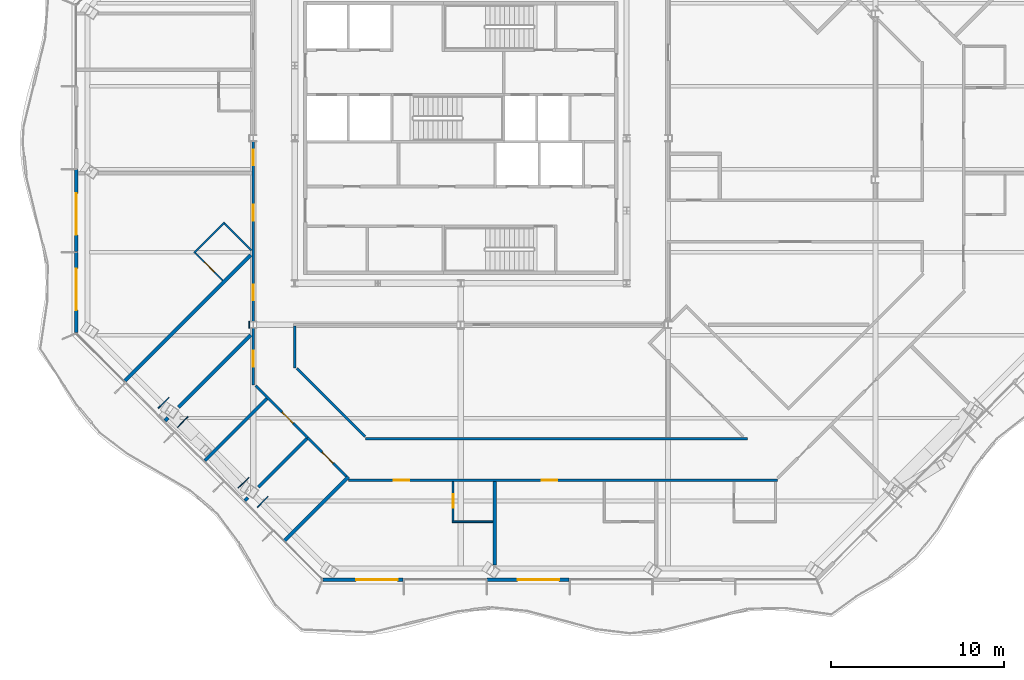
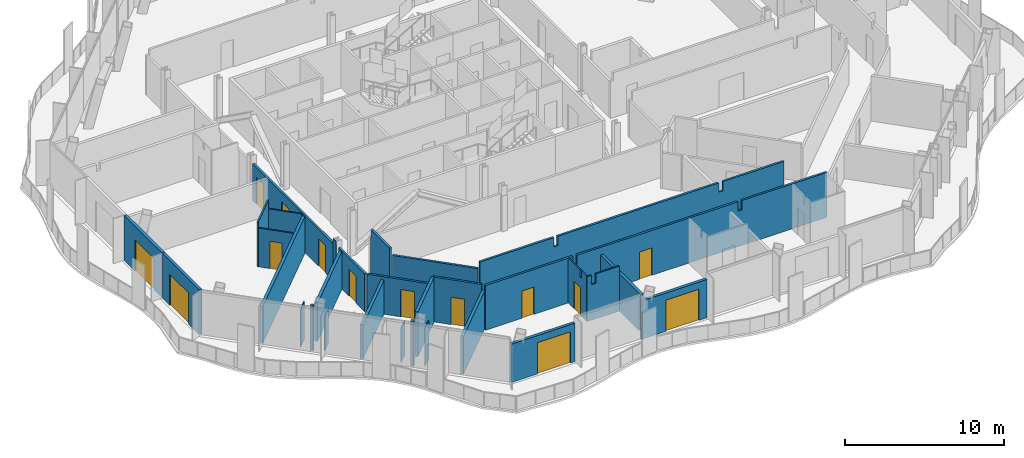
# One storey, part 8 of 19: 30 walls, 14 doors, 14 openings.
"""IFC4 building model written with IfcOpenShell, lengths in metres."""

from ifc_helpers import new_model, si_unit, direction, frame, frame_2d, origin, place, context, subcontext, project, spatial, polyline, rectangle, outline, extrude, material, layer, layer_set, type_object, element, fill, save


model = new_model("IFC4")

# Units and contexts
model_context = context("Model", 3, precision=1e-05, world=origin(), true_north=direction((0.0, 1.0)))
body_context = subcontext(model_context, "Body", "Model", "MODEL_VIEW")
ifc_project = project(units=[si_unit("LENGTHUNIT", "METRE"), si_unit("AREAUNIT", "SQUARE_METRE"), si_unit("VOLUMEUNIT", "CUBIC_METRE"), si_unit("PLANEANGLEUNIT", "RADIAN"), si_unit("MASSUNIT", "GRAM", prefix="KILO")], contexts=[model_context])

# Site, building, storey
site_placement = place(None, origin())
site = spatial("IfcSite", under=ifc_project, at=site_placement, CompositionType="ELEMENT")
building_placement = place(site_placement, origin())
building = spatial("IfcBuilding", under=site, at=building_placement, Name="Cairn Pilgrim Tower", CompositionType="ELEMENT")
storey_placement = place(building_placement, frame((0.0, 0.0, 193.800048828125)))
storey = spatial("IfcBuildingStorey", under=building, at=storey_placement, Name="L49", CompositionType="ELEMENT", Elevation=193.800048828125)

# Wall, opening, door
ifc_material_1 = material(Name="Bronze anodised aluminium insulated sandwich panel with mineral wool fill", Category="aluminium")
ifc_layer_1 = layer(ifc_material_1, 0.199951171875)
ifc_layer_set_1 = layer_set([ifc_layer_1], Name="BRONZE INFILL FRAME WALL 200")
wall_type_1 = type_object("IfcWallType", Name="BRONZE INFILL FRAME WALL 200", PredefinedType="NOTDEFINED", material=ifc_layer_set_1)
wall_1_placement = place(storey_placement, frame((-0.75634765625, -23.14990234375, 0.0), z_axis=(0.0, 0.0, 1.0), x_axis=(1.0, 0.0, 0.0)))
wall_1 = element("IfcWall", 1, at=wall_1_placement, inside=storey, type_object=wall_type_1, Name="Bronze infill frame wall IW-S1", PredefinedType="NOTDEFINED", context=body_context, shape_type="SweptSolid", body=[
    extrude(rectangle(XDim=4.62646484375, YDim=0.199951171875, at=frame_2d((2.313232421875, 0.0))), origin(), (0.0, 0.0, 1.0), 2.949951171875),
])
opening_1_placement = place(wall_1_placement, frame((1.908447265625, 0.0, 0.0)))
opening_1 = element("IfcOpeningElement", 2, at=opening_1_placement, cuts=wall_1, Name="Opening 4920B", PredefinedType="OPENING", context=body_context, shape_type="SweptSolid", body=[
    extrude(rectangle(XDim=2.39990234375, YDim=2.39990234375, at=frame_2d((1.199951171875, 1.199951171875))), frame((0.0, 0.10986328125, 0.0), z_axis=(0.0, -1.0, 0.0), x_axis=(1.0, 0.0, 0.0)), (0.0, 0.0, 1.0), 0.219970703125),
])
ifc_material_2 = material(Name="Bronze anodised aluminium frame with tinted low-E glass", Category="aluminium")
door_type_1 = type_object("IfcDoorType", Name="BALCONY SLIDING DOOR 2400x2400", OperationType="DOUBLE_DOOR_SLIDING", PredefinedType="DOOR", material=ifc_material_2)
door_1_placement = place(opening_1_placement, origin())
door_1 = element("IfcDoor", 3, at=door_1_placement, inside=storey, type_object=door_type_1, Name="Balcony sliding door 4920B", OperationType="SINGLE_SWING_LEFT", OverallHeight=2.39990234375, OverallWidth=2.39990234375, PredefinedType="DOOR", context=body_context, shape_type="SweptSolid", body=[
    extrude(rectangle(XDim=2.39990234375, YDim=2.39990234375, at=frame_2d((1.199951171875, 1.199951171875))), frame((0.0, 0.02490234375, 0.0), z_axis=(0.0, -1.0, 0.0), x_axis=(1.0, 0.0, 0.0)), (0.0, 0.0, 1.0), 0.050048828125),
])
fill(opening_1, door_1)

wall_2_placement = place(storey_placement, frame((8.72998046875, -23.14990234375, 0.0), z_axis=(0.0, 0.0, 1.0), x_axis=(1.0, 0.0, 0.0)))
wall_2 = element("IfcWall", 4, at=wall_2_placement, inside=storey, type_object=wall_type_1, Name="Bronze infill frame wall IW-S3", PredefinedType="NOTDEFINED", context=body_context, shape_type="SweptSolid", body=[
    extrude(rectangle(XDim=4.739990234375, YDim=0.199951171875, at=frame_2d((2.3701171875, 0.0))), origin(), (0.0, 0.0, 1.0), 2.949951171875),
])
opening_2_placement = place(wall_2_placement, frame((1.769775390625, 0.0, 0.0)))
opening_2 = element("IfcOpeningElement", 5, at=opening_2_placement, cuts=wall_2, Name="Opening 4901B", PredefinedType="OPENING", context=body_context, shape_type="SweptSolid", body=[
    extrude(rectangle(XDim=2.39990234375, YDim=2.39990234375, at=frame_2d((1.199951171875, 1.199951171875))), frame((0.0, 0.10986328125, 0.0), z_axis=(0.0, -1.0, 0.0), x_axis=(1.0, 0.0, 0.0)), (0.0, 0.0, 1.0), 0.219970703125),
])
door_2_placement = place(opening_2_placement, origin())
door_2 = element("IfcDoor", 6, at=door_2_placement, inside=storey, type_object=door_type_1, Name="Balcony sliding door 4901B", OperationType="SINGLE_SWING_LEFT", OverallHeight=2.39990234375, OverallWidth=2.39990234375, PredefinedType="DOOR", context=body_context, shape_type="SweptSolid", body=[
    extrude(rectangle(XDim=2.39990234375, YDim=2.39990234375, at=frame_2d((1.199951171875, 1.199951171875))), frame((0.0, 0.02490234375, 0.0), z_axis=(0.0, -1.0, 0.0), x_axis=(1.0, 0.0, 0.0)), (0.0, 0.0, 1.0), 0.050048828125),
])
fill(opening_2, door_2)

wall_3_placement = place(storey_placement, frame((-15.050048828125, 0.570068359375, 0.0), z_axis=(0.0, 0.0, 1.0), x_axis=(0.0, -1.0, 0.0)))
wall_3 = element("IfcWall", 7, at=wall_3_placement, inside=storey, type_object=wall_type_1, Name="Bronze infill frame wall IW-W3", PredefinedType="NOTDEFINED", context=body_context, shape_type="SweptSolid", body=[
    extrude(rectangle(XDim=4.739990234375, YDim=0.199951171875, at=frame_2d((2.3701171875, 0.0))), origin(), (0.0, 0.0, 1.0), 3.449951171875),
])
opening_3_placement = place(wall_3_placement, frame((1.3701171875, 0.0, 0.0)))
opening_3 = element("IfcOpeningElement", 8, at=opening_3_placement, cuts=wall_3, Name="Opening 4915B", PredefinedType="OPENING", context=body_context, shape_type="SweptSolid", body=[
    extrude(rectangle(XDim=2.39990234375, YDim=2.39990234375, at=frame_2d((1.199951171875, 1.199951171875))), frame((0.0, 0.10986328125, 0.0), z_axis=(0.0, -1.0, 0.0), x_axis=(1.0, 0.0, 0.0)), (0.0, 0.0, 1.0), 0.219970703125),
])
door_3_placement = place(opening_3_placement, origin())
door_3 = element("IfcDoor", 9, at=door_3_placement, inside=storey, type_object=door_type_1, Name="Balcony sliding door 4915B", OperationType="SINGLE_SWING_LEFT", OverallHeight=2.39990234375, OverallWidth=2.39990234375, PredefinedType="DOOR", context=body_context, shape_type="SweptSolid", body=[
    extrude(rectangle(XDim=2.39990234375, YDim=2.39990234375, at=frame_2d((1.199951171875, 1.199951171875))), frame((0.0, 0.02490234375, 0.0), z_axis=(0.0, -1.0, 0.0), x_axis=(1.0, 0.0, 0.0)), (0.0, 0.0, 1.0), 0.050048828125),
])
fill(opening_3, door_3)

wall_4_placement = place(storey_placement, frame((-15.050048828125, -4.22998046875, 0.0), z_axis=(0.0, 0.0, 1.0), x_axis=(0.0, -1.0, 0.0)))
wall_4 = element("IfcWall", 10, at=wall_4_placement, inside=storey, type_object=wall_type_1, Name="Bronze infill frame wall IW-W4", PredefinedType="NOTDEFINED", context=body_context, shape_type="SweptSolid", body=[
    extrude(rectangle(XDim=4.62646484375, YDim=0.199951171875, at=frame_2d((2.313232421875, 0.0))), origin(), (0.0, 0.0, 1.0), 3.449951171875),
])
opening_4_placement = place(wall_4_placement, frame((0.91796875, 0.0, 0.0)))
opening_4 = element("IfcOpeningElement", 11, at=opening_4_placement, cuts=wall_4, Name="Opening 4915B2", PredefinedType="OPENING", context=body_context, shape_type="SweptSolid", body=[
    extrude(rectangle(XDim=2.39990234375, YDim=2.39990234375, at=frame_2d((1.199951171875, 1.199951171875))), frame((0.0, 0.10986328125, 0.0), z_axis=(0.0, -1.0, 0.0), x_axis=(1.0, 0.0, 0.0)), (0.0, 0.0, 1.0), 0.219970703125),
])
door_4_placement = place(opening_4_placement, origin())
door_4 = element("IfcDoor", 12, at=door_4_placement, inside=storey, type_object=door_type_1, Name="Balcony sliding door 4915B2", OperationType="SINGLE_SWING_LEFT", OverallHeight=2.39990234375, OverallWidth=2.39990234375, PredefinedType="DOOR", context=body_context, shape_type="SweptSolid", body=[
    extrude(rectangle(XDim=2.39990234375, YDim=2.39990234375, at=frame_2d((1.199951171875, 1.199951171875))), frame((0.0, 0.02490234375, 0.0), z_axis=(0.0, -1.0, 0.0), x_axis=(1.0, 0.0, 0.0)), (0.0, 0.0, 1.0), 0.050048828125),
])
fill(opening_4, door_4)

# Wall
ifc_material_3 = material(Name="Gypsum partition")
ifc_layer_2 = layer(ifc_material_3, 0.10009765625)
ifc_layer_set_2 = layer_set([ifc_layer_2], Name="PARTITION 100 DRYWALL")
wall_type_2 = type_object("IfcWallType", Name="PARTITION 100 DRYWALL", PredefinedType="PARTITIONING", material=ifc_layer_set_2)
wall_5_placement = place(storey_placement, frame((6.7119140625, -19.800048828125, 0.0), z_axis=(0.0, 0.0, 1.0), x_axis=(1.0, 0.0, 0.0)))
element("IfcWall", 13, at=wall_5_placement, inside=storey, type_object=wall_type_2, Name="PARTITION W004", PredefinedType="PARTITIONING", context=body_context, shape_type="SweptSolid", body=[
    extrude(outline(polyline([(0.0, 0.0), (2.35009765625, 0.0), (2.35009765625, 3.449951171875), (0.637939453125, 3.449951171875), (0.635986328125, 2.72998046875), (0.337890625, 2.72998046875), (0.3359375, 3.449951171875), (0.0, 3.449951171875), (0.0, 0.0)])), frame((0.0, 0.050048828125, 0.0), z_axis=(0.0, -1.0, 0.0), x_axis=(1.0, 0.0, 0.0)), (0.0, 0.0, 1.0), 0.10009765625),
])

# Wall, opening, door
wall_6_placement = place(storey_placement, frame((6.761962890625, -19.75, 0.0), z_axis=(0.0, 0.0, 1.0), x_axis=(0.0, 1.0, 0.0)))
wall_6 = element("IfcWall", 14, at=wall_6_placement, inside=storey, type_object=wall_type_2, Name="PARTITION W005", PredefinedType="PARTITIONING", context=body_context, shape_type="SweptSolid", body=[
    extrude(outline(polyline([(0.0, 0.0), (2.27490234375, 0.0), (2.27490234375, 3.449951171875), (0.800048828125, 3.449951171875), (0.798095703125, 2.929931640625), (0.60009765625, 2.929931640625), (0.597900390625, 3.449951171875), (0.0, 3.449951171875), (0.0, 0.0)])), frame((0.0, 0.050048828125, 0.0), z_axis=(0.0, -1.0, 0.0), x_axis=(1.0, 0.0, 0.0)), (0.0, 0.0, 1.0), 0.10009765625),
])
opening_5_placement = place(wall_6_placement, frame((0.75, 0.0, 0.0)))
opening_5 = element("IfcOpeningElement", 15, at=opening_5_placement, cuts=wall_6, Name="Opening 4920A", PredefinedType="OPENING", context=body_context, shape_type="SweptSolid", body=[
    extrude(rectangle(XDim=0.800048828125, YDim=2.10009765625, at=frame_2d((0.39990234375, 1.050048828125))), frame((0.0, 0.06005859375, 0.0), z_axis=(0.0, -1.0, 0.0), x_axis=(1.0, 0.0, 0.0)), (0.0, 0.0, 1.0), 0.1201171875),
])
ifc_material_4 = material(Name="Timber door leaf", Category="wood")
door_type_2 = type_object("IfcDoorType", Name="WC DOOR 800x2100", OperationType="NOTDEFINED", PredefinedType="DOOR", material=ifc_material_4)
door_5_placement = place(opening_5_placement, origin())
door_5 = element("IfcDoor", 16, at=door_5_placement, inside=storey, type_object=door_type_2, Name="DOOR 4920A", OperationType="SINGLE_SWING_RIGHT", OverallHeight=2.10009765625, OverallWidth=0.800048828125, PredefinedType="DOOR", context=body_context, shape_type="SweptSolid", body=[
    extrude(rectangle(XDim=0.800048828125, YDim=2.10009765625, at=frame_2d((0.39990234375, 1.050048828125))), frame((0.0, 0.02490234375, 0.0), z_axis=(0.0, -1.0, 0.0), x_axis=(1.0, 0.0, 0.0)), (0.0, 0.0, 1.0), 0.050048828125),
])
fill(opening_5, door_5)

wall_7_placement = place(storey_placement, frame((-6.567626953125, -5.84033203125, 0.0), z_axis=(0.0, 0.0, 1.0), x_axis=(-0.70716103421, 0.707052524, 0.0)))
wall_7 = element("IfcWall", 17, at=wall_7_placement, inside=storey, type_object=wall_type_2, Name="PARTITION W041", PredefinedType="PARTITIONING", context=body_context, shape_type="SweptSolid", body=[
    extrude(rectangle(XDim=2.25, YDim=0.10009765625, at=frame_2d((1.125, 0.0))), origin(), (0.0, 0.0, 1.0), 2.97998046875),
])
opening_6_placement = place(wall_7_placement, frame((0.699951171875, 0.0, 0.0)))
opening_6 = element("IfcOpeningElement", 18, at=opening_6_placement, cuts=wall_7, Name="Opening 4915A", PredefinedType="OPENING", context=body_context, shape_type="SweptSolid", body=[
    extrude(rectangle(XDim=0.800048828125, YDim=2.10009765625, at=frame_2d((0.39990234375, 1.050048828125))), frame((0.0, 0.06005859375, 0.0), z_axis=(0.0, -1.0, 0.0), x_axis=(1.0, 0.0, 0.0)), (0.0, 0.0, 1.0), 0.1201171875),
])
door_6_placement = place(opening_6_placement, origin())
door_6 = element("IfcDoor", 19, at=door_6_placement, inside=storey, type_object=door_type_2, Name="DOOR 4915A", OperationType="SINGLE_SWING_LEFT", OverallHeight=2.10009765625, OverallWidth=0.800048828125, PredefinedType="DOOR", context=body_context, shape_type="SweptSolid", body=[
    extrude(rectangle(XDim=0.800048828125, YDim=2.10009765625, at=frame_2d((0.39990234375, 1.050048828125))), frame((0.0, 0.02490234375, 0.0), z_axis=(0.0, -1.0, 0.0), x_axis=(1.0, 0.0, 0.0)), (0.0, 0.0, 1.0), 0.050048828125),
])
fill(opening_6, door_6)

# Walls
wall_8_placement = place(storey_placement, frame((-8.2294921875, -4.24951171875, 0.0), z_axis=(0.0, 0.0, 1.0), x_axis=(0.707106781187, 0.707106781187, 0.0)))
element("IfcWall", 20, at=wall_8_placement, inside=storey, type_object=wall_type_2, Name="PARTITION W043", PredefinedType="PARTITIONING", context=body_context, shape_type="SweptSolid", body=[
    extrude(rectangle(XDim=2.5, YDim=0.10009765625, at=frame_2d((1.25, 0.0))), origin(), (0.0, 0.0, 1.0), 3.449951171875),
])
wall_9_placement = place(storey_placement, frame((-4.910400390625, -4.103515625, 0.0), z_axis=(0.0, 0.0, 1.0), x_axis=(-0.707106781187, 0.707106781187, 0.0)))
element("IfcWall", 21, at=wall_9_placement, inside=storey, type_object=wall_type_2, Name="PARTITION W044", PredefinedType="PARTITIONING", context=body_context, shape_type="SweptSolid", body=[
    extrude(rectangle(XDim=2.19384765625, YDim=0.10009765625, at=frame_2d((1.096923828125, 0.0))), origin(), (0.0, 0.0, 1.0), 2.829833984375),
])

# Wall, openings, doors
ifc_layer_3 = layer(ifc_material_3, 0.14990234375)
ifc_layer_set_3 = layer_set([ifc_layer_3], Name="PARTITION 150 DRYWALL EI 60")
wall_type_3 = type_object("IfcWallType", Name="PARTITION 150 DRYWALL EI 60", PredefinedType="PARTITIONING", material=ifc_layer_set_3)
wall_10_placement = place(storey_placement, frame((0.69921875, -17.39990234375, 0.0), z_axis=(0.0, 0.0, 1.0), x_axis=(1.0, 0.0, 0.0)))
wall_10 = element("IfcWall", 22, at=wall_10_placement, inside=storey, type_object=wall_type_3, Name="PARTITION W014", PredefinedType="PARTITIONING", context=body_context, shape_type="SweptSolid", body=[
    extrude(outline(polyline([(0.0, 0.0), (24.82177734375, 0.0), (24.822021484375, 3.449951171875), (18.65087890625, 3.449951171875), (18.64892578125, 2.72998046875), (18.350830078125, 2.72998046875), (18.348876953125, 3.449951171875), (6.65087890625, 3.449951171875), (6.64892578125, 2.72998046875), (6.350830078125, 2.72998046875), (6.348876953125, 3.449951171875), (0.0, 3.449951171875), (0.0, 0.0)])), frame((0.0, 0.074951171875, 0.0), z_axis=(0.0, -1.0, 0.0), x_axis=(1.0, 0.0, 0.0)), (0.0, 0.0, 1.0), 0.14990234375),
])
opening_7_placement = place(wall_10_placement, frame((11.18798828125, 0.0, 0.0)))
opening_7 = element("IfcOpeningElement", 23, at=opening_7_placement, cuts=wall_10, Name="Opening 4901", PredefinedType="OPENING", context=body_context, shape_type="SweptSolid", body=[
    extrude(rectangle(XDim=0.89990234375, YDim=2.10009765625, at=frame_2d((0.449951171875, 1.050048828125))), frame((0.0, 0.0849609375, 0.0), z_axis=(0.0, -1.0, 0.0), x_axis=(1.0, 0.0, 0.0)), (0.0, 0.0, 1.0), 0.169921875),
])
opening_8_placement = place(wall_10_placement, frame((2.635009765625, 0.0, 0.0)))
opening_8 = element("IfcOpeningElement", 24, at=opening_8_placement, cuts=wall_10, Name="Opening 4920", PredefinedType="OPENING", context=body_context, shape_type="SweptSolid", body=[
    extrude(rectangle(XDim=0.89990234375, YDim=2.10009765625, at=frame_2d((0.449951171875, 1.050048828125))), frame((0.0, 0.0849609375, 0.0), z_axis=(0.0, -1.0, 0.0), x_axis=(1.0, 0.0, 0.0)), (0.0, 0.0, 1.0), 0.169921875),
])
door_type_3 = type_object("IfcDoorType", Name="ROOM DOOR 900x2100 FD30S", OperationType="NOTDEFINED", PredefinedType="DOOR", material=ifc_material_4)
door_7_placement = place(opening_7_placement, frame((0.89990234375, 0.0, 0.0), z_axis=(0.0, 0.0, 1.0), x_axis=(-1.0, 0.0, 0.0)))
door_7 = element("IfcDoor", 25, at=door_7_placement, inside=storey, type_object=door_type_3, Name="DOOR 4901", OperationType="SINGLE_SWING_RIGHT", OverallHeight=2.10009765625, OverallWidth=0.89990234375, PredefinedType="DOOR", context=body_context, shape_type="SweptSolid", body=[
    extrude(rectangle(XDim=0.89990234375, YDim=2.10009765625, at=frame_2d((0.449951171875, 1.050048828125))), frame((0.0, 0.02490234375, 0.0), z_axis=(0.0, -1.0, 0.0), x_axis=(1.0, 0.0, 0.0)), (0.0, 0.0, 1.0), 0.050048828125),
])
fill(opening_7, door_7)
door_8_placement = place(opening_8_placement, frame((0.89990234375, 0.0, 0.0), z_axis=(0.0, 0.0, 1.0), x_axis=(-1.0, 0.0, 0.0)))
door_8 = element("IfcDoor", 26, at=door_8_placement, inside=storey, type_object=door_type_3, Name="DOOR 4920", OperationType="SINGLE_SWING_RIGHT", OverallHeight=2.10009765625, OverallWidth=0.89990234375, PredefinedType="DOOR", context=body_context, shape_type="SweptSolid", body=[
    extrude(rectangle(XDim=0.89990234375, YDim=2.10009765625, at=frame_2d((0.449951171875, 1.050048828125))), frame((0.0, 0.02490234375, 0.0), z_axis=(0.0, -1.0, 0.0), x_axis=(1.0, 0.0, 0.0)), (0.0, 0.0, 1.0), 0.050048828125),
])
fill(opening_8, door_8)

# Wall, opening, door
wall_11_placement = place(storey_placement, frame((0.58740234375, -17.182373046875, 0.0), z_axis=(0.0, 0.0, 1.0), x_axis=(-0.706952760983, 0.707260767849, 0.0)))
wall_11 = element("IfcWall", 27, at=wall_11_placement, inside=storey, type_object=wall_type_3, Name="PARTITION W016", PredefinedType="PARTITIONING", context=body_context, shape_type="SweptSolid", body=[
    extrude(rectangle(XDim=3.170654296875, YDim=0.14990234375, at=frame_2d((1.58544921875, 0.0))), origin(), (0.0, 0.0, 1.0), 3.449951171875),
])
opening_9_placement = place(wall_11_placement, frame((1.0849609375, 0.0, 0.0)))
opening_9 = element("IfcOpeningElement", 28, at=opening_9_placement, cuts=wall_11, Name="Opening 4919", PredefinedType="OPENING", context=body_context, shape_type="SweptSolid", body=[
    extrude(rectangle(XDim=0.89990234375, YDim=2.10009765625, at=frame_2d((0.449951171875, 1.050048828125))), frame((0.0, 0.0849609375, 0.0), z_axis=(0.0, -1.0, 0.0), x_axis=(1.0, 0.0, 0.0)), (0.0, 0.0, 1.0), 0.169921875),
])
door_9_placement = place(opening_9_placement, origin())
door_9 = element("IfcDoor", 29, at=door_9_placement, inside=storey, type_object=door_type_3, Name="DOOR 4919", OperationType="SINGLE_SWING_LEFT", OverallHeight=2.10009765625, OverallWidth=0.89990234375, PredefinedType="DOOR", context=body_context, shape_type="SweptSolid", body=[
    extrude(rectangle(XDim=0.89990234375, YDim=2.10009765625, at=frame_2d((0.449951171875, 1.050048828125))), frame((0.0, 0.02490234375, 0.0), z_axis=(0.0, -1.0, 0.0), x_axis=(1.0, 0.0, 0.0)), (0.0, 0.0, 1.0), 0.050048828125),
])
fill(opening_9, door_9)

# Wall
wall_12_placement = place(storey_placement, frame((1.69384765625, -15.0, 0.0), z_axis=(0.0, 0.0, 1.0), x_axis=(1.0, 0.0, 0.0)))
element("IfcWall", 30, at=wall_12_placement, inside=storey, type_object=wall_type_3, Name="PARTITION W018", PredefinedType="PARTITIONING", context=body_context, shape_type="SweptSolid", body=[
    extrude(outline(polyline([(0.0, 0.0), (22.091064453125, 0.0), (22.091064453125, 3.449951171875), (17.656005859375, 3.449951171875), (17.654052734375, 2.72998046875), (17.356201171875, 2.72998046875), (17.35400390625, 3.449951171875), (5.656005859375, 3.449951171875), (5.654052734375, 2.72998046875), (5.356201171875, 2.72998046875), (5.35400390625, 3.449951171875), (0.0, 3.449951171875), (0.0, 0.0)])), frame((0.0, 0.074951171875, 0.0), z_axis=(0.0, -1.0, 0.0), x_axis=(1.0, 0.0, 0.0)), (0.0, 0.0, 1.0), 0.14990234375),
])

# Wall, opening, door
wall_13_placement = place(storey_placement, frame((-1.654052734375, -14.93994140625, 0.0), z_axis=(0.0, 0.0, 1.0), x_axis=(-0.707106781187, 0.707106781187, 0.0)))
wall_13 = element("IfcWall", 31, at=wall_13_placement, inside=storey, type_object=wall_type_3, Name="PARTITION W019", PredefinedType="PARTITIONING", context=body_context, shape_type="SweptSolid", body=[
    extrude(rectangle(XDim=4.267822265625, YDim=0.14990234375, at=frame_2d((2.1337890625, 0.0))), origin(), (0.0, 0.0, 1.0), 2.8798828125),
])
opening_10_placement = place(wall_13_placement, frame((1.18505859375, 0.0, 0.0)))
opening_10 = element("IfcOpeningElement", 32, at=opening_10_placement, cuts=wall_13, Name="Opening 4918", PredefinedType="OPENING", context=body_context, shape_type="SweptSolid", body=[
    extrude(rectangle(XDim=0.89990234375, YDim=2.10009765625, at=frame_2d((0.449951171875, 1.050048828125))), frame((0.0, 0.0849609375, 0.0), z_axis=(0.0, -1.0, 0.0), x_axis=(1.0, 0.0, 0.0)), (0.0, 0.0, 1.0), 0.169921875),
])
door_type_4 = type_object("IfcDoorType", Name="SERVICE DOOR 900x2100 FD30S", OperationType="NOTDEFINED", PredefinedType="DOOR", material=ifc_material_4)
door_10_placement = place(opening_10_placement, origin())
door_10 = element("IfcDoor", 33, at=door_10_placement, inside=storey, type_object=door_type_4, Name="DOOR 4918", OperationType="SINGLE_SWING_LEFT", OverallHeight=2.10009765625, OverallWidth=0.89990234375, PredefinedType="DOOR", context=body_context, shape_type="SweptSolid", body=[
    extrude(rectangle(XDim=0.89990234375, YDim=2.10009765625, at=frame_2d((0.449951171875, 1.050048828125))), frame((0.0, 0.02490234375, 0.0), z_axis=(0.0, -1.0, 0.0), x_axis=(1.0, 0.0, 0.0)), (0.0, 0.0, 1.0), 0.050048828125),
])
fill(opening_10, door_10)

# Wall
wall_14_placement = place(storey_placement, frame((1.672119140625, -14.8720703125, 0.0), z_axis=(0.0, 0.0, 1.0), x_axis=(-0.707106781187, 0.707106781187, 0.0)))
element("IfcWall", 34, at=wall_14_placement, inside=storey, type_object=wall_type_3, Name="PARTITION W020", PredefinedType="PARTITIONING", context=body_context, shape_type="SweptSolid", body=[
    extrude(rectangle(XDim=5.577880859375, YDim=0.14990234375, at=frame_2d((2.7890625, 0.0))), origin(), (0.0, 0.0, 1.0), 2.8798828125),
])

# Wall, opening, door
wall_15_placement = place(storey_placement, frame((-4.800048828125, -11.900146484375, 0.0), z_axis=(0.0, 0.0, 1.0), x_axis=(0.0, 1.0, 0.0)))
wall_15 = element("IfcWall", 35, at=wall_15_placement, inside=storey, type_object=wall_type_3, Name="PARTITION W028", PredefinedType="PARTITIONING", context=body_context, shape_type="SweptSolid", body=[
    extrude(rectangle(XDim=3.3037109375, YDim=0.14990234375, at=frame_2d((1.65185546875, 0.0))), origin(), (0.0, 0.0, 1.0), 2.929931640625),
])
opening_11_placement = place(wall_15_placement, frame((1.083984375, 0.0, 0.0)))
opening_11 = element("IfcOpeningElement", 36, at=opening_11_placement, cuts=wall_15, Name="Opening 4917", PredefinedType="OPENING", context=body_context, shape_type="SweptSolid", body=[
    extrude(rectangle(XDim=0.89990234375, YDim=2.10009765625, at=frame_2d((0.449951171875, 1.050048828125))), frame((0.0, 0.0849609375, 0.0), z_axis=(0.0, -1.0, 0.0), x_axis=(1.0, 0.0, 0.0)), (0.0, 0.0, 1.0), 0.169921875),
])
door_11_placement = place(opening_11_placement, origin())
door_11 = element("IfcDoor", 37, at=door_11_placement, inside=storey, type_object=door_type_4, Name="DOOR 4917", OperationType="SINGLE_SWING_LEFT", OverallHeight=2.10009765625, OverallWidth=0.89990234375, PredefinedType="DOOR", context=body_context, shape_type="SweptSolid", body=[
    extrude(rectangle(XDim=0.89990234375, YDim=2.10009765625, at=frame_2d((0.449951171875, 1.050048828125))), frame((0.0, 0.02490234375, 0.0), z_axis=(0.0, -1.0, 0.0), x_axis=(1.0, 0.0, 0.0)), (0.0, 0.0, 1.0), 0.050048828125),
])
fill(opening_11, door_11)

# Wall
wall_16_placement = place(storey_placement, frame((-2.39990234375, -10.906005859375, 0.0), z_axis=(0.0, 0.0, 1.0), x_axis=(0.0, 1.0, 0.0)))
element("IfcWall", 38, at=wall_16_placement, inside=storey, type_object=wall_type_3, Name="PARTITION W030", PredefinedType="PARTITIONING", context=body_context, shape_type="SweptSolid", body=[
    extrude(outline(polyline([(0.0, 0.0), (2.430908203125, 0.0), (2.43115234375, 2.829833984375), (2.356201171875, 2.829833984375), (2.35400390625, 3.449951171875), (0.0, 3.449951171875), (0.0, 0.0)])), frame((0.0, 0.074951171875, 0.0), z_axis=(0.0, -1.0, 0.0), x_axis=(1.0, 0.0, 0.0)), (0.0, 0.0, 1.0), 0.14990234375),
])

# Wall, openings, doors
wall_17_placement = place(storey_placement, frame((-4.800048828125, -8.20361328125, 0.0), z_axis=(0.0, 0.0, 1.0), x_axis=(0.0, 1.0, 0.0)))
wall_17 = element("IfcWall", 39, at=wall_17_placement, inside=storey, type_object=wall_type_3, Name="PARTITION W037", PredefinedType="PARTITIONING", context=body_context, shape_type="SweptSolid", body=[
    extrude(rectangle(XDim=10.4072265625, YDim=0.14990234375, at=frame_2d((5.20361328125, 0.0))), origin(), (0.0, 0.0, 1.0), 2.829833984375),
])
opening_12_placement = place(wall_17_placement, frame((9.0224609375, 0.0, 0.0)))
opening_12 = element("IfcOpeningElement", 40, at=opening_12_placement, cuts=wall_17, Name="Opening 4914", PredefinedType="OPENING", context=body_context, shape_type="SweptSolid", body=[
    extrude(rectangle(XDim=0.89990234375, YDim=2.10009765625, at=frame_2d((0.449951171875, 1.050048828125))), frame((0.0, 0.0849609375, 0.0), z_axis=(0.0, -1.0, 0.0), x_axis=(1.0, 0.0, 0.0)), (0.0, 0.0, 1.0), 0.169921875),
])
opening_13_placement = place(wall_17_placement, frame((5.83447265625, 0.0, 0.0)))
opening_13 = element("IfcOpeningElement", 41, at=opening_13_placement, cuts=wall_17, Name="Opening 4915", PredefinedType="OPENING", context=body_context, shape_type="SweptSolid", body=[
    extrude(rectangle(XDim=0.89990234375, YDim=2.10009765625, at=frame_2d((0.449951171875, 1.050048828125))), frame((0.0, 0.0849609375, 0.0), z_axis=(0.0, -1.0, 0.0), x_axis=(1.0, 0.0, 0.0)), (0.0, 0.0, 1.0), 0.169921875),
])
opening_14_placement = place(wall_17_placement, frame((1.2275390625, 0.0, 0.0)))
opening_14 = element("IfcOpeningElement", 42, at=opening_14_placement, cuts=wall_17, Name="Opening 4916", PredefinedType="OPENING", context=body_context, shape_type="SweptSolid", body=[
    extrude(rectangle(XDim=0.89990234375, YDim=2.10009765625, at=frame_2d((0.449951171875, 1.050048828125))), frame((0.0, 0.0849609375, 0.0), z_axis=(0.0, -1.0, 0.0), x_axis=(1.0, 0.0, 0.0)), (0.0, 0.0, 1.0), 0.169921875),
])
door_12_placement = place(opening_12_placement, origin())
door_12 = element("IfcDoor", 43, at=door_12_placement, inside=storey, type_object=door_type_3, Name="DOOR 4914", OperationType="SINGLE_SWING_LEFT", OverallHeight=2.10009765625, OverallWidth=0.89990234375, PredefinedType="DOOR", context=body_context, shape_type="SweptSolid", body=[
    extrude(rectangle(XDim=0.89990234375, YDim=2.10009765625, at=frame_2d((0.449951171875, 1.050048828125))), frame((0.0, 0.02490234375, 0.0), z_axis=(0.0, -1.0, 0.0), x_axis=(1.0, 0.0, 0.0)), (0.0, 0.0, 1.0), 0.050048828125),
])
fill(opening_12, door_12)
door_13_placement = place(opening_13_placement, origin())
door_13 = element("IfcDoor", 44, at=door_13_placement, inside=storey, type_object=door_type_3, Name="DOOR 4915", OperationType="SINGLE_SWING_LEFT", OverallHeight=2.10009765625, OverallWidth=0.89990234375, PredefinedType="DOOR", context=body_context, shape_type="SweptSolid", body=[
    extrude(rectangle(XDim=0.89990234375, YDim=2.10009765625, at=frame_2d((0.449951171875, 1.050048828125))), frame((0.0, 0.02490234375, 0.0), z_axis=(0.0, -1.0, 0.0), x_axis=(1.0, 0.0, 0.0)), (0.0, 0.0, 1.0), 0.050048828125),
])
fill(opening_13, door_13)
door_14_placement = place(opening_14_placement, origin())
door_14 = element("IfcDoor", 45, at=door_14_placement, inside=storey, type_object=door_type_4, Name="DOOR 4916", OperationType="SINGLE_SWING_LEFT", OverallHeight=2.10009765625, OverallWidth=0.89990234375, PredefinedType="DOOR", context=body_context, shape_type="SweptSolid", body=[
    extrude(rectangle(XDim=0.89990234375, YDim=2.10009765625, at=frame_2d((0.449951171875, 1.050048828125))), frame((0.0, 0.02490234375, 0.0), z_axis=(0.0, -1.0, 0.0), x_axis=(1.0, 0.0, 0.0)), (0.0, 0.0, 1.0), 0.050048828125),
])
fill(opening_14, door_14)

# Walls
ifc_layer_4 = layer(ifc_material_3, 0.050048828125)
ifc_layer_set_4 = layer_set([ifc_layer_4], Name="PARTITION 50 DRYWALL EI 60")
wall_type_4 = type_object("IfcWallType", Name="PARTITION 50 DRYWALL EI 60", PredefinedType="PARTITIONING", material=ifc_layer_set_4)
wall_18_placement = place(storey_placement, frame((-4.567138671875, -18.96142578125, 0.0), z_axis=(0.0, 0.0, 1.0), x_axis=(0.707106781187, 0.707106781187, 0.0)))
element("IfcWall", 46, at=wall_18_placement, inside=storey, type_object=wall_type_4, Name="COLUMN CASING WC01", PredefinedType="PARTITIONING", context=body_context, shape_type="SweptSolid", body=[
    extrude(rectangle(XDim=0.867919921875, YDim=0.050048828125, at=frame_2d((0.43408203125, 0.0))), origin(), (0.0, 0.0, 1.0), 2.929931640625),
])
wall_19_placement = place(storey_placement, frame((-5.6748046875, -17.853759765625, 0.0), z_axis=(0.0, 0.0, 1.0), x_axis=(0.707247373047, 0.706966161367, 0.0)))
element("IfcWall", 47, at=wall_19_placement, inside=storey, type_object=wall_type_4, Name="COLUMN CASING WC02", PredefinedType="PARTITIONING", context=body_context, shape_type="SweptSolid", body=[
    extrude(rectangle(XDim=0.8681640625, YDim=0.050048828125, at=frame_2d((0.43408203125, 0.0))), origin(), (0.0, 0.0, 1.0), 2.6298828125),
])
wall_20_placement = place(storey_placement, frame((-10.298828125, -13.2294921875, 0.0), z_axis=(0.0, 0.0, 1.0), x_axis=(0.707106781187, 0.707106781187, 0.0)))
element("IfcWall", 48, at=wall_20_placement, inside=storey, type_object=wall_type_4, Name="COLUMN CASING WC05", PredefinedType="PARTITIONING", context=body_context, shape_type="SweptSolid", body=[
    extrude(rectangle(XDim=0.867919921875, YDim=0.050048828125, at=frame_2d((0.43408203125, 0.0))), origin(), (0.0, 0.0, 1.0), 2.929931640625),
])
wall_21_placement = place(storey_placement, frame((-9.19140625, -14.337158203125, 0.0), z_axis=(0.0, 0.0, 1.0), x_axis=(0.707247373047, 0.706966161367, 0.0)))
element("IfcWall", 49, at=wall_21_placement, inside=storey, type_object=wall_type_4, Name="COLUMN CASING WC06", PredefinedType="PARTITIONING", context=body_context, shape_type="SweptSolid", body=[
    extrude(rectangle(XDim=0.8681640625, YDim=0.050048828125, at=frame_2d((0.43408203125, 0.0))), origin(), (0.0, 0.0, 1.0), 2.6298828125),
])
wall_22_placement = place(storey_placement, frame((-5.0244140625, -8.596435546875, 0.0), z_axis=(0.0, 0.0, 1.0), x_axis=(0.0, 1.0, 0.0)))
element("IfcWall", 50, at=wall_22_placement, inside=storey, type_object=wall_type_4, Name="COLUMN CASING WC09", PredefinedType="PARTITIONING", context=body_context, shape_type="SweptSolid", body=[
    extrude(rectangle(XDim=0.392822265625, YDim=0.050048828125, at=frame_2d((0.1962890625, 0.0))), origin(), (0.0, 0.0, 1.0), 3.449951171875),
])
ifc_layer_5 = layer(ifc_material_3, 0.199951171875)
ifc_layer_set_5 = layer_set([ifc_layer_5], Name="SHAFT WALL 200 GYPSUM EI 60")
wall_type_5 = type_object("IfcWallType", Name="SHAFT WALL 200 GYPSUM EI 60", PredefinedType="PARTITIONING", material=ifc_layer_set_5)
wall_23_placement = place(storey_placement, frame((9.162109375, -22.751708984375, 0.0), z_axis=(0.0, 0.0, 1.0), x_axis=(0.0, 1.0, 0.0)))
element("IfcWall", 51, at=wall_23_placement, inside=storey, type_object=wall_type_5, Name="PARTITION W001", PredefinedType="PARTITIONING", context=body_context, shape_type="SweptSolid", body=[
    extrude(outline(polyline([(0.45361328125, 0.0), (5.276611328125, 0.0), (5.276611328125, 0.862548828125), (5.276611328125, 1.724853515625), (5.276611328125, 2.58740234375), (5.276611328125, 2.8798828125), (0.2177734375, 2.8798828125), (0.32958984375, 2.58740234375), (0.4375, 1.724853515625), (0.45361328125, 0.862548828125), (0.45361328125, 0.0)])), frame((0.0, 0.10009765625, 0.0), z_axis=(0.0, -1.0, 0.0), x_axis=(1.0, 0.0, 0.0)), (0.0, 0.0, 1.0), 0.199951171875),
])
wall_24_placement = place(storey_placement, frame((-2.98388671875, -20.89599609375, 0.0), z_axis=(0.0, 0.0, 1.0), x_axis=(0.707013347416, 0.707200202612, 0.0)))
element("IfcWall", 52, at=wall_24_placement, inside=storey, type_object=wall_type_5, Name="PARTITION W003", PredefinedType="PARTITIONING", context=body_context, shape_type="SweptSolid", body=[
    extrude(rectangle(XDim=5.226318359375, YDim=0.199951171875, at=frame_2d((2.61328125, 0.0))), origin(), (0.0, 0.0, 1.0), 2.929931640625),
])
wall_25_placement = place(storey_placement, frame((-5.287841796875, -18.57373046875, 0.0), z_axis=(0.0, 0.0, 1.0), x_axis=(0.707106781187, 0.707106781187, 0.0)))
element("IfcWall", 53, at=wall_25_placement, inside=storey, type_object=wall_type_5, Name="PARTITION W011", PredefinedType="PARTITIONING", context=body_context, shape_type="SweptSolid", body=[
    extrude(rectangle(XDim=0.2353515625, YDim=0.199951171875, at=frame_2d((0.11767578125, 0.0))), origin(), (0.0, 0.0, 1.0), 3.449951171875),
])
wall_26_placement = place(storey_placement, frame((-4.50732421875, -17.79345703125, 0.0), z_axis=(0.0, 0.0, 1.0), x_axis=(0.707106781187, 0.707106781187, 0.0)))
element("IfcWall", 54, at=wall_26_placement, inside=storey, type_object=wall_type_5, Name="PARTITION W012", PredefinedType="PARTITIONING", context=body_context, shape_type="SweptSolid", body=[
    extrude(rectangle(XDim=3.960205078125, YDim=0.199951171875, at=frame_2d((1.97998046875, 0.0))), origin(), (0.0, 0.0, 1.0), 3.449951171875),
])
wall_27_placement = place(storey_placement, frame((-7.599853515625, -16.26171875, 0.0), z_axis=(0.0, 0.0, 1.0), x_axis=(0.707106781187, 0.707106781187, 0.0)))
element("IfcWall", 55, at=wall_27_placement, inside=storey, type_object=wall_type_5, Name="PARTITION W017", PredefinedType="PARTITIONING", context=body_context, shape_type="SweptSolid", body=[
    extrude(rectangle(XDim=5.06396484375, YDim=0.199951171875, at=frame_2d((2.531982421875, 0.0))), origin(), (0.0, 0.0, 1.0), 2.6298828125),
])
wall_28_placement = place(storey_placement, frame((-9.911865234375, -13.94970703125, 0.0), z_axis=(0.0, 0.0, 1.0), x_axis=(0.707106781187, 0.707106781187, 0.0)))
element("IfcWall", 56, at=wall_28_placement, inside=storey, type_object=wall_type_5, Name="PARTITION W023", PredefinedType="PARTITIONING", context=body_context, shape_type="SweptSolid", body=[
    extrude(rectangle(XDim=0.2353515625, YDim=0.199951171875, at=frame_2d((0.11767578125, 0.0))), origin(), (0.0, 0.0, 1.0), 3.449951171875),
])
wall_29_placement = place(storey_placement, frame((-9.13134765625, -13.16943359375, 0.0), z_axis=(0.0, 0.0, 1.0), x_axis=(0.707086158914, 0.707127402857, 0.0)))
element("IfcWall", 57, at=wall_29_placement, inside=storey, type_object=wall_type_5, Name="PARTITION W025", PredefinedType="PARTITIONING", context=body_context, shape_type="SweptSolid", body=[
    extrude(rectangle(XDim=5.91943359375, YDim=0.199951171875, at=frame_2d((2.959716796875, 0.0))), origin(), (0.0, 0.0, 1.0), 2.929931640625),
])
wall_30_placement = place(storey_placement, frame((-12.23291015625, -11.64697265625, 0.0), z_axis=(0.0, 0.0, 1.0), x_axis=(0.707094936157, 0.707118626017, 0.0)))
element("IfcWall", 58, at=wall_30_placement, inside=storey, type_object=wall_type_5, Name="PARTITION W029", PredefinedType="PARTITIONING", context=body_context, shape_type="SweptSolid", body=[
    extrude(rectangle(XDim=10.3056640625, YDim=0.199951171875, at=frame_2d((5.15283203125, 0.0))), origin(), (0.0, 0.0, 1.0), 2.829833984375),
])

save(model, "model.ifc")
